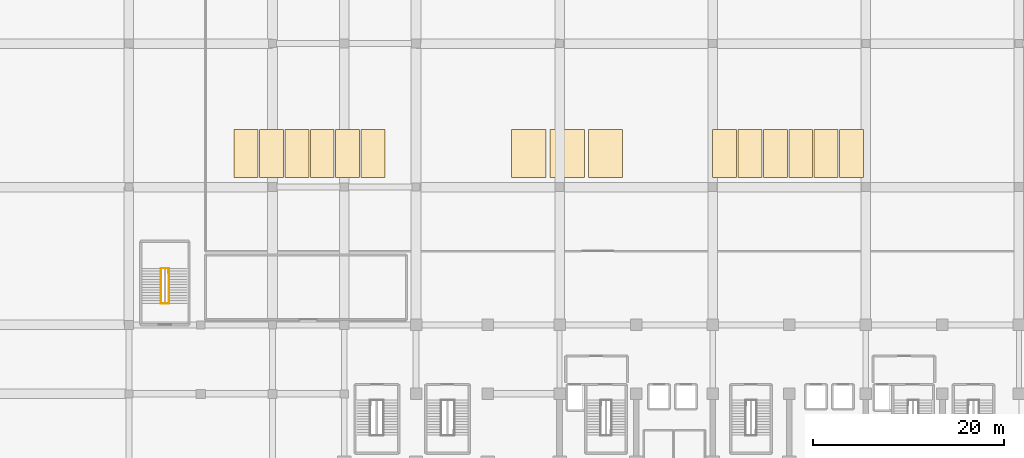
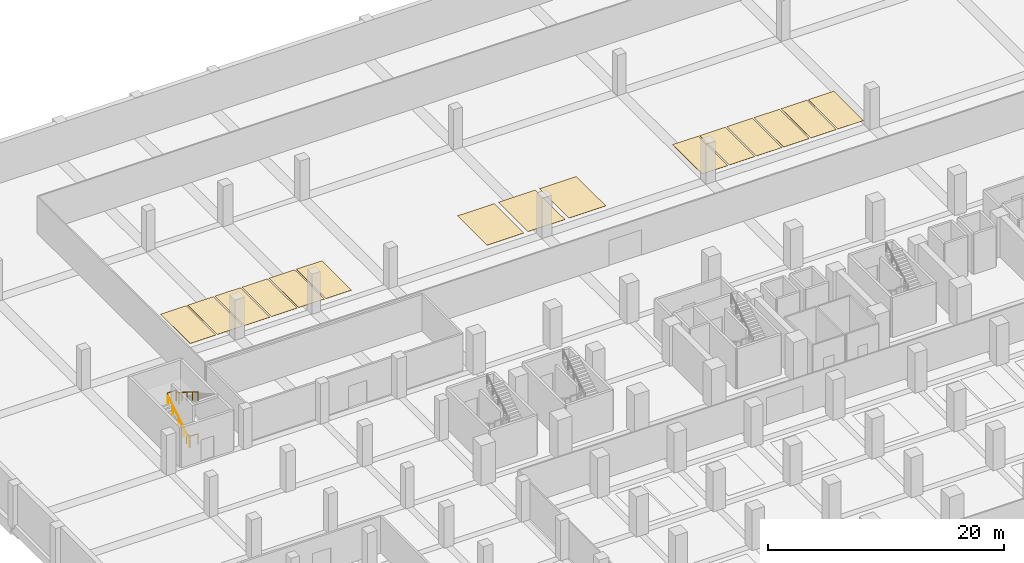
# One storey, part 23 of 25: 15 coverings, 4 railings.
"""IFC4 building model written with IfcOpenShell, lengths in metres."""

from ifc_helpers import new_model, si_unit, direction, frame, origin, origin_2d, place, context, subcontext, project, spatial, rectangle, circle, extrude, material, layer, layer_set, type_object, element, save


model = new_model("IFC4")

# Units and contexts
model_context = context("Model", 3, precision=1e-05, world=origin(), true_north=direction((0.0, 1.0)))
body_context = subcontext(model_context, "Body", "Model", "MODEL_VIEW")
ifc_project = project(units=[si_unit("LENGTHUNIT", "METRE"), si_unit("AREAUNIT", "SQUARE_METRE"), si_unit("VOLUMEUNIT", "CUBIC_METRE"), si_unit("PLANEANGLEUNIT", "RADIAN"), si_unit("MASSUNIT", "GRAM", prefix="KILO")], contexts=[model_context])

# Site, building, storey
site_placement = place(None, origin())
site = spatial("IfcSite", under=ifc_project, at=site_placement, CompositionType="ELEMENT")
building_placement = place(site_placement, origin())
building = spatial("IfcBuilding", under=site, at=building_placement, Name="Akrevak Sports Hall", CompositionType="ELEMENT")
storey_placement = place(building_placement, frame((0.0, 0.0, -4.5)))
storey = spatial("IfcBuildingStorey", under=building, at=storey_placement, Name="B01", CompositionType="ELEMENT", Elevation=-4.5)

# Coverings
ifc_material_1 = material(Name="Slate-Grey Stone Accessible Bay Topping", Category="stone")
ifc_layer_1 = layer(ifc_material_1, 0.014892578125, Name="Slate-Grey Stone Accessible Bay Topping")
ifc_layer_set_1 = layer_set([ifc_layer_1], Name="Slate-Grey Stone Accessible Bay Topping")
covering_type_1 = type_object("IfcCoveringType", Name="ARC-COV-PKBAY-ACC", PredefinedType="FLOORING", material=ifc_layer_set_1)
for number, where, z_axis, x_axis, name in (
    (1, (56.800048828125, 87.5, 0.0), (0.0, 0.0, 1.0), (1.0, 0.0, 0.0), "Accessible Parking Bay Marking B01-N04"),
    (2, (60.800048828125, 87.5, 0.0), (0.0, 0.0, 1.0), (1.0, 0.0, 0.0), "Accessible Parking Bay Marking B01-N05"),
    (3, (64.800048828125, 87.5, 0.0), (0.0, 0.0, 1.0), (1.0, 0.0, 0.0), "Accessible Parking Bay Marking B01-N06"),
):
    element("IfcCovering", number, at=place(storey_placement, frame(where, z_axis=z_axis, x_axis=x_axis)), inside=storey, type_object=covering_type_1, Name=name, PredefinedType="FLOORING", context=body_context, shape_type="SweptSolid", body=[
        extrude(rectangle(XDim=3.60009765625, YDim=5.0, at=origin_2d()), origin(), (0.0, 0.0, 1.0), 0.014892578125),
    ])
ifc_material_2 = material(Name="Polished Terrazzo Bay Topping", Category="stone")
ifc_layer_2 = layer(ifc_material_2, 0.014892578125, Name="Polished Terrazzo Bay Topping")
ifc_layer_set_2 = layer_set([ifc_layer_2], Name="Polished Terrazzo Bay Topping")
covering_type_2 = type_object("IfcCoveringType", Name="ARC-COV-PKBAY-STD", PredefinedType="FLOORING", material=ifc_layer_set_2)
for number, where, z_axis, x_axis, name in (
    (4, (27.25, 87.5, 0.0), (0.0, 0.0, 1.0), (1.0, 0.0, 0.0), "Standard Parking Bay Marking B01-N29"),
    (5, (29.89990234375, 87.5, 0.0), (0.0, 0.0, 1.0), (1.0, 0.0, 0.0), "Standard Parking Bay Marking B01-N30"),
    (6, (32.550048828125, 87.5, 0.0), (0.0, 0.0, 1.0), (1.0, 0.0, 0.0), "Standard Parking Bay Marking B01-N31"),
    (7, (35.199951171875, 87.5, 0.0), (0.0, 0.0, 1.0), (1.0, 0.0, 0.0), "Standard Parking Bay Marking B01-N32"),
    (8, (37.85009765625, 87.5, 0.0), (0.0, 0.0, 1.0), (1.0, 0.0, 0.0), "Standard Parking Bay Marking B01-N33"),
    (9, (40.5, 87.5, 0.0), (0.0, 0.0, 1.0), (1.0, 0.0, 0.0), "Standard Parking Bay Marking B01-N34"),
    (10, (77.25, 87.5, 0.0), (0.0, 0.0, 1.0), (1.0, 0.0, 0.0), "Standard Parking Bay Marking B01-N35"),
    (11, (79.89990234375, 87.5, 0.0), (0.0, 0.0, 1.0), (1.0, 0.0, 0.0), "Standard Parking Bay Marking B01-N36"),
    (12, (82.550048828125, 87.5, 0.0), (0.0, 0.0, 1.0), (1.0, 0.0, 0.0), "Standard Parking Bay Marking B01-N37"),
    (13, (85.199951171875, 87.5, 0.0), (0.0, 0.0, 1.0), (1.0, 0.0, 0.0), "Standard Parking Bay Marking B01-N38"),
    (14, (87.85009765625, 87.5, 0.0), (0.0, 0.0, 1.0), (1.0, 0.0, 0.0), "Standard Parking Bay Marking B01-N39"),
    (15, (90.5, 87.5, 0.0), (0.0, 0.0, 1.0), (1.0, 0.0, 0.0), "Standard Parking Bay Marking B01-N40"),
):
    element("IfcCovering", number, at=place(storey_placement, frame(where, z_axis=z_axis, x_axis=x_axis)), inside=storey, type_object=covering_type_2, Name=name, PredefinedType="FLOORING", context=body_context, shape_type="SweptSolid", body=[
        extrude(rectangle(XDim=2.5, YDim=5.0, at=origin_2d()), origin(), (0.0, 0.0, 1.0), 0.014892578125),
    ])

# Railings
ifc_material_3 = material(Name="Painted Architectural Balustrade Steel", Category="steel")
ifc_layer_3 = layer(ifc_material_3, 0.06005859375, Name="Painted Architectural Balustrade Steel")
ifc_layer_set_3 = layer_set([ifc_layer_3], Name="Painted Architectural Balustrade Steel")
railing_type_1 = type_object("IfcRailingType", Name="ARC-RL-GRD-1120", PredefinedType="GUARDRAIL", material=ifc_layer_set_3)
railing_1_placement = place(storey_placement, frame((18.360107421875, 72.3701171875, 0.0)))
element("IfcRailing", 16, at=railing_1_placement, inside=storey, type_object=railing_type_1, Name="Stair Floor Landing Well Guard ST6 (B01)", PredefinedType="GUARDRAIL", context=body_context, shape_type="SweptSolid", body=[
    extrude(circle(Radius=0.02392578125, at=origin_2d()), frame((0.0, 0.0, 1.09619140625), z_axis=(0.0, -1.0, 0.0), x_axis=(1.0, 0.0, 0.0)), (0.0, 0.0, 1.0), 0.550048828125),
    extrude(circle(Radius=0.02392578125, at=origin_2d()), frame((0.0, -0.550048828125, 1.09619140625), z_axis=(1.0, 0.0, 0.0), x_axis=(0.0, 1.0, 0.0)), (0.0, 0.0, 1.0), 0.809814453125),
    extrude(circle(Radius=0.02099609375, at=origin_2d()), origin(), (0.0, 0.0, 1.0), 1.072021484375),
    extrude(circle(Radius=0.02099609375, at=origin_2d()), frame((0.0, -0.550048828125, 0.0)), (0.0, 0.0, 1.0), 1.072021484375),
    extrude(circle(Radius=0.02099609375, at=origin_2d()), frame((0.809814453125, -0.550048828125, 0.0)), (0.0, 0.0, 1.0), 1.072021484375),
])
railing_2_placement = place(storey_placement, frame((18.330078125, 75.52001953125, 2.25)))
element("IfcRailing", 17, at=railing_2_placement, inside=storey, type_object=railing_type_1, Name="Stair Landing Well Guard ST6-B01-1", PredefinedType="GUARDRAIL", context=body_context, shape_type="SweptSolid", body=[
    extrude(circle(Radius=0.02392578125, at=origin_2d()), frame((0.0, 0.0, 1.09619140625), z_axis=(1.0, 0.0, 0.0), x_axis=(0.0, 1.0, 0.0)), (0.0, 0.0, 1.0), 0.809814453125),
    extrude(circle(Radius=0.02392578125, at=origin_2d()), frame((0.809814453125, 0.0, 1.09619140625), z_axis=(0.0, -1.0, 0.0), x_axis=(1.0, 0.0, 0.0)), (0.0, 0.0, 1.0), 0.52001953125),
    extrude(circle(Radius=0.02099609375, at=origin_2d()), origin(), (0.0, 0.0, 1.0), 1.072021484375),
    extrude(circle(Radius=0.02099609375, at=origin_2d()), frame((0.809814453125, 0.0, 0.0)), (0.0, 0.0, 1.0), 1.072021484375),
    extrude(circle(Radius=0.02099609375, at=origin_2d()), frame((0.809814453125, -0.52001953125, 0.0)), (0.0, 0.0, 1.0), 1.072021484375),
])
ifc_material_4 = material(Name="Brushed Stainless Steel 304", Category="steel")
ifc_layer_4 = layer(ifc_material_4, 0.050048828125, Name="Brushed Stainless Steel 304")
ifc_layer_set_4 = layer_set([ifc_layer_4], Name="Brushed Stainless Steel 304")
railing_type_2 = type_object("IfcRailingType", Name="ARC-RL-HND-900", PredefinedType="HANDRAIL", material=ifc_layer_set_4)
railing_3_placement = place(storey_placement, frame((18.330078125, 71.85009765625, 0.0)))
element("IfcRailing", 18, at=railing_3_placement, inside=storey, type_object=railing_type_2, Name="Stair Handrail ST6-B01-F1", PredefinedType="HANDRAIL", context=body_context, shape_type="SweptSolid", body=[
    extrude(circle(Radius=0.02392578125, at=origin_2d()), frame((0.0, 0.0, 0.8759765625), z_axis=(0.0, 0.850606632239, 0.525802583857), x_axis=(-1.0, 0.0, 0.0)), (0.0, 0.0, 1.0), 4.279052734375),
    extrude(circle(Radius=0.02099609375, at=origin_2d()), origin(), (0.0, 0.0, 1.0), 0.851806640625),
    extrude(circle(Radius=0.02099609375, at=origin_2d()), frame((0.0, 0.909912109375, 0.5625)), (0.0, 0.0, 1.0), 0.851806640625),
    extrude(circle(Radius=0.02099609375, at=origin_2d()), frame((0.0, 1.81982421875, 1.125)), (0.0, 0.0, 1.0), 0.851806640625),
    extrude(circle(Radius=0.02099609375, at=origin_2d()), frame((0.0, 2.72998046875, 1.6875)), (0.0, 0.0, 1.0), 0.851806640625),
    extrude(circle(Radius=0.02099609375, at=origin_2d()), frame((0.0, 3.639892578125, 2.25)), (0.0, 0.0, 1.0), 0.851806640625),
])
railing_4_placement = place(storey_placement, frame((19.169921875, 75.489990234375, 2.25)))
element("IfcRailing", 19, at=railing_4_placement, inside=storey, type_object=railing_type_2, Name="Stair Handrail ST6-B01-F2", PredefinedType="HANDRAIL", context=body_context, shape_type="SweptSolid", body=[
    extrude(circle(Radius=0.02392578125, at=origin_2d()), frame((0.0, 0.0, 0.8759765625), z_axis=(0.0, -0.850606632239, 0.525802583857), x_axis=(1.0, 0.0, 0.0)), (0.0, 0.0, 1.0), 4.279052734375),
    extrude(circle(Radius=0.02099609375, at=origin_2d()), origin(), (0.0, 0.0, 1.0), 0.851806640625),
    extrude(circle(Radius=0.02099609375, at=origin_2d()), frame((0.0, -0.909912109375, 0.5625)), (0.0, 0.0, 1.0), 0.851806640625),
    extrude(circle(Radius=0.02099609375, at=origin_2d()), frame((0.0, -1.81982421875, 1.125)), (0.0, 0.0, 1.0), 0.851806640625),
    extrude(circle(Radius=0.02099609375, at=origin_2d()), frame((0.0, -2.72998046875, 1.6875)), (0.0, 0.0, 1.0), 0.851806640625),
    extrude(circle(Radius=0.02099609375, at=origin_2d()), frame((0.0, -3.639892578125, 2.25)), (0.0, 0.0, 1.0), 0.851806640625),
])

save(model, "model.ifc")
